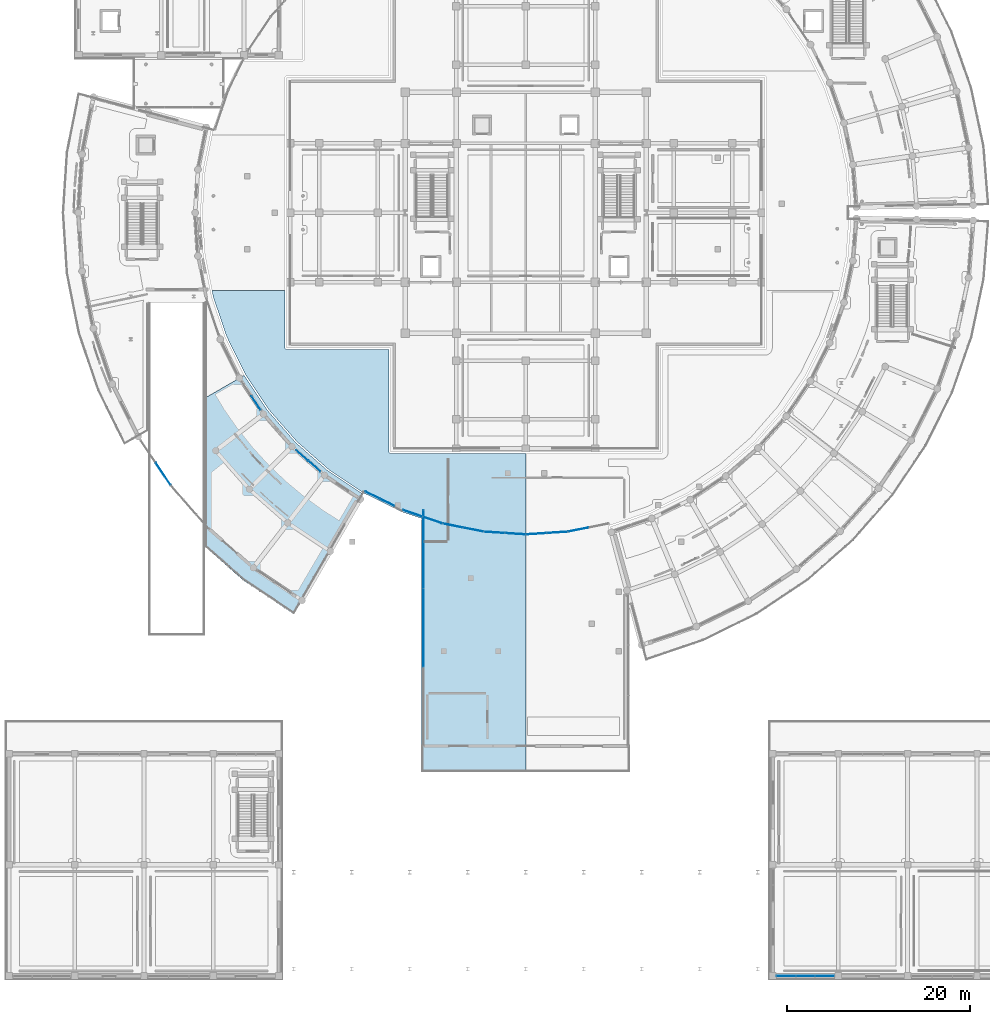
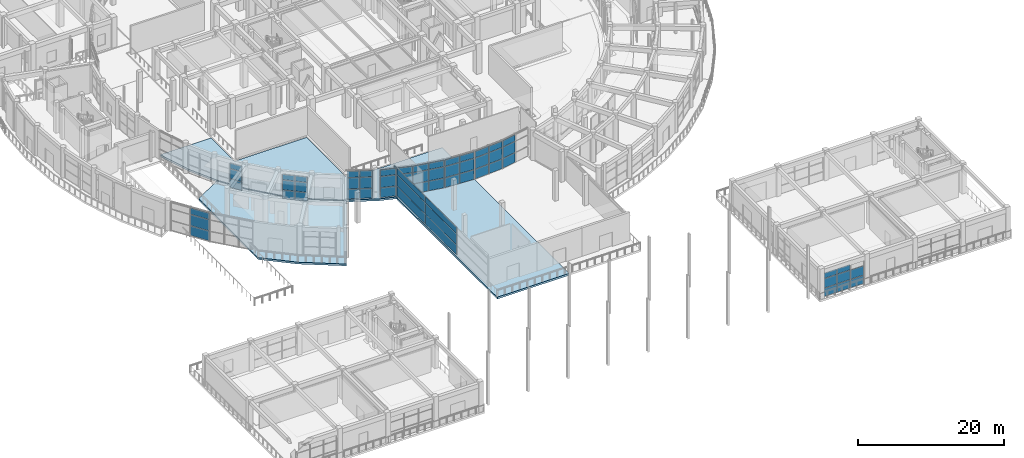
# One storey, part 55 of 99: 59 plates, 2 slabs, 11 elements without a shape of their own.
"""IFC4 building model written with IfcOpenShell, lengths in metres."""

from ifc_helpers import new_model, si_unit, direction, frame, origin, origin_2d, place, context, subcontext, project, spatial, polyline, rectangle, outline, extrude, material, layer, layer_set, type_object, element, aggregate, save


model = new_model("IFC4")

# Units and contexts
model_context = context("Model", 3, precision=1e-05, world=origin(), true_north=direction((0.0, 1.0)))
body_context = subcontext(model_context, "Body", "Model", "MODEL_VIEW")
ifc_project = project(units=[si_unit("LENGTHUNIT", "METRE"), si_unit("AREAUNIT", "SQUARE_METRE"), si_unit("VOLUMEUNIT", "CUBIC_METRE"), si_unit("PLANEANGLEUNIT", "RADIAN"), si_unit("MASSUNIT", "GRAM", prefix="KILO")], contexts=[model_context])

# Site, building, storey
site_placement = place(None, origin())
site = spatial("IfcSite", under=ifc_project, at=site_placement, CompositionType="ELEMENT")
building_placement = place(site_placement, origin())
building = spatial("IfcBuilding", under=site, at=building_placement, Name="Saryqyr Civic Hall", CompositionType="ELEMENT")
storey_placement = place(building_placement, origin())
storey = spatial("IfcBuildingStorey", under=building, at=storey_placement, Name="L00", CompositionType="ELEMENT", Elevation=0.0)

# Curtain wall, plates
ifc_material_1 = material(Name="Anodised aluminium and triple low-E glass", Category="aluminium")
curtain_wall_type_1 = type_object("IfcCurtainWallType", Name="ENV-CW-STD-08", PredefinedType="NOTDEFINED", material=ifc_material_1)
curtain_wall_1_placement = place(storey_placement, origin())
curtain_wall_1 = element("IfcCurtainWall", 1, at=curtain_wall_1_placement, inside=storey, type_object=curtain_wall_type_1, Name="Curtain wall V4-CWO-L00-06", PredefinedType="NOTDEFINED")
ifc_material_2 = material(Name="Triple low-E insulated glazing", Category="glass")
ifc_layer_1 = layer(ifc_material_2, 0.053955078125, Name="Triple low-E insulated glazing")
ifc_layer_set_1 = layer_set([ifc_layer_1], Name="Triple low-E insulated glazing")
plate_type = type_object("IfcPlateType", Name="ENV-CW-PNL-38", PredefinedType="CURTAIN_PANEL", material=ifc_layer_set_1)
plate_1_placement = place(storey_placement, frame((17.29638671875, 55.411865234375, 0.06005859375), z_axis=(0.0, 0.0, 1.0), x_axis=(-0.555566691085, 0.831471978937, 0.0)))
plate_1 = element("IfcPlate", 2, at=plate_1_placement, type_object=plate_type, Name="CW-08 panel 1.1", PredefinedType="CURTAIN_PANEL", context=body_context, shape_type="SweptSolid", body=[
    extrude(rectangle(XDim=2.865234375, YDim=0.053955078125, at=origin_2d()), origin(), (0.0, 0.0, 1.0), 1.6201171875),
])
plate_2_placement = place(storey_placement, frame((17.29638671875, 55.411865234375, 1.73974609375), z_axis=(0.0, 0.0, 1.0), x_axis=(-0.555566691085, 0.831471978937, 0.0)))
plate_2 = element("IfcPlate", 3, at=plate_2_placement, type_object=plate_type, Name="CW-08 panel 1.2", PredefinedType="CURTAIN_PANEL", context=body_context, shape_type="SweptSolid", body=[
    extrude(rectangle(XDim=2.865234375, YDim=0.053955078125, at=origin_2d()), origin(), (0.0, 0.0, 1.0), 1.840087890625),
])
plate_3_placement = place(storey_placement, frame((17.29638671875, 55.411865234375, 3.64013671875), z_axis=(0.0, 0.0, 1.0), x_axis=(-0.555566691085, 0.831471978937, 0.0)))
plate_3 = element("IfcPlate", 4, at=plate_3_placement, type_object=plate_type, Name="CW-08 panel 1.3", PredefinedType="CURTAIN_PANEL", context=body_context, shape_type="SweptSolid", body=[
    extrude(rectangle(XDim=2.865234375, YDim=0.053955078125, at=origin_2d()), origin(), (0.0, 0.0, 1.0), 1.050048828125),
])
aggregate(curtain_wall_1, [plate_1, plate_2, plate_3])

curtain_wall_type_2 = type_object("IfcCurtainWallType", Name="ENV-CW-STD-09", PredefinedType="NOTDEFINED", material=ifc_material_1)
curtain_wall_2_placement = place(storey_placement, origin())
curtain_wall_2 = element("IfcCurtainWall", 5, at=curtain_wall_2_placement, inside=storey, type_object=curtain_wall_type_2, Name="Curtain wall V4-CWI-L00-06", PredefinedType="NOTDEFINED")
plate_4_placement = place(storey_placement, frame((27.475830078125, 63.1669921875, 0.06005859375), z_axis=(0.0, 0.0, 1.0), x_axis=(0.555558270106, -0.831477605541, 0.0)))
plate_4 = element("IfcPlate", 6, at=plate_4_placement, type_object=plate_type, Name="CW-09 panel 2.1", PredefinedType="CURTAIN_PANEL", context=body_context, shape_type="SweptSolid", body=[
    extrude(rectangle(XDim=1.778564453125, YDim=0.053955078125, at=origin_2d()), origin(), (0.0, 0.0, 1.0), 1.419921875),
])
plate_5_placement = place(storey_placement, frame((27.475830078125, 63.1669921875, 1.5400390625), z_axis=(0.0, 0.0, 1.0), x_axis=(0.555558270106, -0.831477605541, 0.0)))
plate_5 = element("IfcPlate", 7, at=plate_5_placement, type_object=plate_type, Name="CW-09 panel 2.2", PredefinedType="CURTAIN_PANEL", context=body_context, shape_type="SweptSolid", body=[
    extrude(rectangle(XDim=1.778564453125, YDim=0.053955078125, at=origin_2d()), origin(), (0.0, 0.0, 1.0), 1.617919921875),
])
plate_6_placement = place(storey_placement, frame((27.475830078125, 63.1669921875, 3.218017578125), z_axis=(0.0, 0.0, 1.0), x_axis=(0.555558270106, -0.831477605541, 0.0)))
plate_6 = element("IfcPlate", 8, at=plate_6_placement, type_object=plate_type, Name="CW-09 panel 2.3", PredefinedType="CURTAIN_PANEL", context=body_context, shape_type="SweptSolid", body=[
    extrude(rectangle(XDim=1.778564453125, YDim=0.053955078125, at=origin_2d()), origin(), (0.0, 0.0, 1.0), 0.9169921875),
])
aggregate(curtain_wall_2, [plate_4, plate_5, plate_6])

curtain_wall_type_3 = type_object("IfcCurtainWallType", Name="ENV-CW-STD-11", PredefinedType="NOTDEFINED", material=ifc_material_1)
curtain_wall_3_placement = place(storey_placement, origin())
curtain_wall_3 = element("IfcCurtainWall", 9, at=curtain_wall_3_placement, inside=storey, type_object=curtain_wall_type_3, Name="Curtain wall V4-CWI-L00-08", PredefinedType="NOTDEFINED")
plate_7_placement = place(storey_placement, frame((32.511474609375, 57.430419921875, 0.06005859375), z_axis=(0.0, 0.0, 1.0), x_axis=(0.751830721195, -0.659356175878, 0.0)))
plate_7 = element("IfcPlate", 10, at=plate_7_placement, type_object=plate_type, Name="CW-11 panel 1.1", PredefinedType="CURTAIN_PANEL", context=body_context, shape_type="SweptSolid", body=[
    extrude(rectangle(XDim=1.7255859375, YDim=0.053955078125, at=origin_2d()), origin(), (0.0, 0.0, 1.0), 1.419921875),
])
plate_8_placement = place(storey_placement, frame((32.511474609375, 57.430419921875, 1.5400390625), z_axis=(0.0, 0.0, 1.0), x_axis=(0.751830721195, -0.659356175878, 0.0)))
plate_8 = element("IfcPlate", 11, at=plate_8_placement, type_object=plate_type, Name="CW-11 panel 1.2", PredefinedType="CURTAIN_PANEL", context=body_context, shape_type="SweptSolid", body=[
    extrude(rectangle(XDim=1.7255859375, YDim=0.053955078125, at=origin_2d()), origin(), (0.0, 0.0, 1.0), 1.617919921875),
])
plate_9_placement = place(storey_placement, frame((32.511474609375, 57.430419921875, 3.218017578125), z_axis=(0.0, 0.0, 1.0), x_axis=(0.751830721195, -0.659356175878, 0.0)))
plate_9 = element("IfcPlate", 12, at=plate_9_placement, type_object=plate_type, Name="CW-11 panel 1.3", PredefinedType="CURTAIN_PANEL", context=body_context, shape_type="SweptSolid", body=[
    extrude(rectangle(XDim=1.7255859375, YDim=0.053955078125, at=origin_2d()), origin(), (0.0, 0.0, 1.0), 0.9169921875),
])
plate_10_placement = place(storey_placement, frame((33.85400390625, 56.2529296875, 0.06005859375), z_axis=(0.0, 0.0, 1.0), x_axis=(0.751830721195, -0.659356175878, 0.0)))
plate_10 = element("IfcPlate", 13, at=plate_10_placement, type_object=plate_type, Name="CW-11 panel 2.1", PredefinedType="CURTAIN_PANEL", context=body_context, shape_type="SweptSolid", body=[
    extrude(rectangle(XDim=1.7255859375, YDim=0.053955078125, at=origin_2d()), origin(), (0.0, 0.0, 1.0), 1.419921875),
])
plate_11_placement = place(storey_placement, frame((33.85400390625, 56.2529296875, 1.5400390625), z_axis=(0.0, 0.0, 1.0), x_axis=(0.751830721195, -0.659356175878, 0.0)))
plate_11 = element("IfcPlate", 14, at=plate_11_placement, type_object=plate_type, Name="CW-11 panel 2.2", PredefinedType="CURTAIN_PANEL", context=body_context, shape_type="SweptSolid", body=[
    extrude(rectangle(XDim=1.7255859375, YDim=0.053955078125, at=origin_2d()), origin(), (0.0, 0.0, 1.0), 1.617919921875),
])
plate_12_placement = place(storey_placement, frame((33.85400390625, 56.2529296875, 3.218017578125), z_axis=(0.0, 0.0, 1.0), x_axis=(0.751830721195, -0.659356175878, 0.0)))
plate_12 = element("IfcPlate", 15, at=plate_12_placement, type_object=plate_type, Name="CW-11 panel 2.3", PredefinedType="CURTAIN_PANEL", context=body_context, shape_type="SweptSolid", body=[
    extrude(rectangle(XDim=1.7255859375, YDim=0.053955078125, at=origin_2d()), origin(), (0.0, 0.0, 1.0), 0.9169921875),
])
aggregate(curtain_wall_3, [plate_7, plate_8, plate_9, plate_10, plate_11, plate_12])

curtain_wall_type_4 = type_object("IfcCurtainWallType", Name="ENV-CW-STD-60", PredefinedType="NOTDEFINED", material=ifc_material_1)
curtain_wall_4_placement = place(storey_placement, origin())
curtain_wall_4 = element("IfcCurtainWall", 16, at=curtain_wall_4_placement, inside=storey, type_object=curtain_wall_type_4, Name="Curtain wall V7E-CW-L00-0-3", PredefinedType="NOTDEFINED")
plate_13_placement = place(storey_placement, frame((89.7333984375, 0.449951171875, 0.06005859375), z_axis=(0.0, 0.0, 1.0), x_axis=(-1.0, 0.0, 0.0)))
plate_13 = element("IfcPlate", 17, at=plate_13_placement, type_object=plate_type, Name="CW-60 panel 1.1", PredefinedType="CURTAIN_PANEL", context=body_context, shape_type="SweptSolid", body=[
    extrude(rectangle(XDim=2.033447265625, YDim=0.053955078125, at=origin_2d()), origin(), (0.0, 0.0, 1.0), 1.365966796875),
])
plate_14_placement = place(storey_placement, frame((89.7333984375, 0.449951171875, 1.48583984375), z_axis=(0.0, 0.0, 1.0), x_axis=(-1.0, 0.0, 0.0)))
plate_14 = element("IfcPlate", 18, at=plate_14_placement, type_object=plate_type, Name="CW-60 panel 1.2", PredefinedType="CURTAIN_PANEL", context=body_context, shape_type="SweptSolid", body=[
    extrude(rectangle(XDim=2.033447265625, YDim=0.053955078125, at=origin_2d()), origin(), (0.0, 0.0, 1.0), 1.55810546875),
])
plate_15_placement = place(storey_placement, frame((87.625, 0.449951171875, 0.06005859375), z_axis=(0.0, 0.0, 1.0), x_axis=(-1.0, 0.0, 0.0)))
plate_15 = element("IfcPlate", 19, at=plate_15_placement, type_object=plate_type, Name="CW-60 panel 2.1", PredefinedType="CURTAIN_PANEL", context=body_context, shape_type="SweptSolid", body=[
    extrude(rectangle(XDim=2.063232421875, YDim=0.053955078125, at=origin_2d()), origin(), (0.0, 0.0, 1.0), 1.365966796875),
])
plate_16_placement = place(storey_placement, frame((87.625, 0.449951171875, 1.48583984375), z_axis=(0.0, 0.0, 1.0), x_axis=(-1.0, 0.0, 0.0)))
plate_16 = element("IfcPlate", 20, at=plate_16_placement, type_object=plate_type, Name="CW-60 panel 2.2", PredefinedType="CURTAIN_PANEL", context=body_context, shape_type="SweptSolid", body=[
    extrude(rectangle(XDim=2.063232421875, YDim=0.053955078125, at=origin_2d()), origin(), (0.0, 0.0, 1.0), 1.55810546875),
])
plate_17_placement = place(storey_placement, frame((87.625, 0.449951171875, 3.10400390625), z_axis=(0.0, 0.0, 1.0), x_axis=(-1.0, 0.0, 0.0)))
plate_17 = element("IfcPlate", 21, at=plate_17_placement, type_object=plate_type, Name="CW-60 panel 2.3", PredefinedType="CURTAIN_PANEL", context=body_context, shape_type="SweptSolid", body=[
    extrude(rectangle(XDim=2.063232421875, YDim=0.053955078125, at=origin_2d()), origin(), (0.0, 0.0, 1.0), 0.881103515625),
])
plate_18_placement = place(storey_placement, frame((85.5166015625, 0.449951171875, 0.06005859375), z_axis=(0.0, 0.0, 1.0), x_axis=(-1.0, 0.0, 0.0)))
plate_18 = element("IfcPlate", 22, at=plate_18_placement, type_object=plate_type, Name="CW-60 panel 3.1", PredefinedType="CURTAIN_PANEL", context=body_context, shape_type="SweptSolid", body=[
    extrude(rectangle(XDim=2.033447265625, YDim=0.053955078125, at=origin_2d()), origin(), (0.0, 0.0, 1.0), 1.365966796875),
])
plate_19_placement = place(storey_placement, frame((85.5166015625, 0.449951171875, 1.48583984375), z_axis=(0.0, 0.0, 1.0), x_axis=(-1.0, 0.0, 0.0)))
plate_19 = element("IfcPlate", 23, at=plate_19_placement, type_object=plate_type, Name="CW-60 panel 3.2", PredefinedType="CURTAIN_PANEL", context=body_context, shape_type="SweptSolid", body=[
    extrude(rectangle(XDim=2.033447265625, YDim=0.053955078125, at=origin_2d()), origin(), (0.0, 0.0, 1.0), 1.55810546875),
])
plate_20_placement = place(storey_placement, frame((85.5166015625, 0.449951171875, 3.10400390625), z_axis=(0.0, 0.0, 1.0), x_axis=(-1.0, 0.0, 0.0)))
plate_20 = element("IfcPlate", 24, at=plate_20_placement, type_object=plate_type, Name="CW-60 panel 3.3", PredefinedType="CURTAIN_PANEL", context=body_context, shape_type="SweptSolid", body=[
    extrude(rectangle(XDim=2.033447265625, YDim=0.053955078125, at=origin_2d()), origin(), (0.0, 0.0, 1.0), 0.881103515625),
])
aggregate(curtain_wall_4, [plate_13, plate_14, plate_15, plate_16, plate_17, plate_18, plate_19, plate_20])

curtain_wall_type_5 = type_object("IfcCurtainWallType", Name="ENV-CW-STD-63", PredefinedType="NOTDEFINED", material=ifc_material_1)
curtain_wall_5_placement = place(storey_placement, origin())
curtain_wall_5 = element("IfcCurtainWall", 25, at=curtain_wall_5_placement, inside=storey, type_object=curtain_wall_type_5, Name="Curtain wall V2-VESTFLK-SW-L00", PredefinedType="NOTDEFINED")
plate_21_placement = place(storey_placement, frame((45.800048828125, 38.554931640625, 0.06005859375), z_axis=(0.0, 0.0, 1.0), x_axis=(0.0, 1.0, 0.0)))
plate_21 = element("IfcPlate", 26, at=plate_21_placement, type_object=plate_type, Name="CW-63 panel 2.1", PredefinedType="CURTAIN_PANEL", context=body_context, shape_type="SweptSolid", body=[
    extrude(rectangle(XDim=8.570068359375, YDim=0.053955078125, at=origin_2d()), origin(), (0.0, 0.0, 1.0), 1.6201171875),
])
plate_22_placement = place(storey_placement, frame((45.800048828125, 38.554931640625, 1.73974609375), z_axis=(0.0, 0.0, 1.0), x_axis=(0.0, 1.0, 0.0)))
plate_22 = element("IfcPlate", 27, at=plate_22_placement, type_object=plate_type, Name="CW-63 panel 2.2", PredefinedType="CURTAIN_PANEL", context=body_context, shape_type="SweptSolid", body=[
    extrude(rectangle(XDim=8.570068359375, YDim=0.053955078125, at=origin_2d()), origin(), (0.0, 0.0, 1.0), 1.840087890625),
])
plate_23_placement = place(storey_placement, frame((45.800048828125, 38.554931640625, 3.64013671875), z_axis=(0.0, 0.0, 1.0), x_axis=(0.0, 1.0, 0.0)))
plate_23 = element("IfcPlate", 28, at=plate_23_placement, type_object=plate_type, Name="CW-63 panel 2.3", PredefinedType="CURTAIN_PANEL", context=body_context, shape_type="SweptSolid", body=[
    extrude(rectangle(XDim=8.570068359375, YDim=0.053955078125, at=origin_2d()), origin(), (0.0, 0.0, 1.0), 1.050048828125),
])
plate_24_placement = place(storey_placement, frame((45.800048828125, 47.169921875, 0.06005859375), z_axis=(0.0, 0.0, 1.0), x_axis=(0.0, 1.0, 0.0)))
plate_24 = element("IfcPlate", 29, at=plate_24_placement, type_object=plate_type, Name="CW-63 panel 3.1", PredefinedType="CURTAIN_PANEL", context=body_context, shape_type="SweptSolid", body=[
    extrude(rectangle(XDim=8.5400390625, YDim=0.053955078125, at=origin_2d()), origin(), (0.0, 0.0, 1.0), 1.6201171875),
])
plate_25_placement = place(storey_placement, frame((45.800048828125, 47.169921875, 1.73974609375), z_axis=(0.0, 0.0, 1.0), x_axis=(0.0, 1.0, 0.0)))
plate_25 = element("IfcPlate", 30, at=plate_25_placement, type_object=plate_type, Name="CW-63 panel 3.2", PredefinedType="CURTAIN_PANEL", context=body_context, shape_type="SweptSolid", body=[
    extrude(rectangle(XDim=8.5400390625, YDim=0.053955078125, at=origin_2d()), origin(), (0.0, 0.0, 1.0), 1.840087890625),
])
plate_26_placement = place(storey_placement, frame((45.800048828125, 47.169921875, 3.64013671875), z_axis=(0.0, 0.0, 1.0), x_axis=(0.0, 1.0, 0.0)))
plate_26 = element("IfcPlate", 31, at=plate_26_placement, type_object=plate_type, Name="CW-63 panel 3.3", PredefinedType="CURTAIN_PANEL", context=body_context, shape_type="SweptSolid", body=[
    extrude(rectangle(XDim=8.5400390625, YDim=0.053955078125, at=origin_2d()), origin(), (0.0, 0.0, 1.0), 1.050048828125),
])
aggregate(curtain_wall_5, [plate_21, plate_22, plate_23, plate_24, plate_25, plate_26])

curtain_wall_type_6 = type_object("IfcCurtainWallType", Name="ENV-CW-STD-68", PredefinedType="NOTDEFINED", material=ifc_material_1)
curtain_wall_6_placement = place(storey_placement, origin())
curtain_wall_6 = element("IfcCurtainWall", 32, at=curtain_wall_6_placement, inside=storey, type_object=curtain_wall_type_6, Name="Curtain wall V2-PERIM-CW-L00-32", PredefinedType="NOTDEFINED")
plate_27_placement = place(storey_placement, frame((41.8291015625, 52.2958984375, 0.06005859375), z_axis=(0.0, 0.0, 1.0), x_axis=(-0.896871168654, 0.442291879687, 0.0)))
plate_27 = element("IfcPlate", 33, at=plate_27_placement, type_object=plate_type, Name="CW-68 panel 1.1", PredefinedType="CURTAIN_PANEL", context=body_context, shape_type="SweptSolid", body=[
    extrude(rectangle(XDim=1.73291015625, YDim=0.053955078125, at=origin_2d()), origin(), (0.0, 0.0, 1.0), 1.6201171875),
])
plate_28_placement = place(storey_placement, frame((41.8291015625, 52.2958984375, 1.73974609375), z_axis=(0.0, 0.0, 1.0), x_axis=(-0.896871168654, 0.442291879687, 0.0)))
plate_28 = element("IfcPlate", 34, at=plate_28_placement, type_object=plate_type, Name="CW-68 panel 1.2", PredefinedType="CURTAIN_PANEL", context=body_context, shape_type="SweptSolid", body=[
    extrude(rectangle(XDim=1.73291015625, YDim=0.053955078125, at=origin_2d()), origin(), (0.0, 0.0, 1.0), 1.840087890625),
])
plate_29_placement = place(storey_placement, frame((41.8291015625, 52.2958984375, 3.64013671875), z_axis=(0.0, 0.0, 1.0), x_axis=(-0.896871168654, 0.442291879687, 0.0)))
plate_29 = element("IfcPlate", 35, at=plate_29_placement, type_object=plate_type, Name="CW-68 panel 1.3", PredefinedType="CURTAIN_PANEL", context=body_context, shape_type="SweptSolid", body=[
    extrude(rectangle(XDim=1.73291015625, YDim=0.053955078125, at=origin_2d()), origin(), (0.0, 0.0, 1.0), 1.050048828125),
])
plate_30_placement = place(storey_placement, frame((40.220947265625, 53.0888671875, 0.06005859375), z_axis=(0.0, 0.0, 1.0), x_axis=(-0.896871168654, 0.442291879687, 0.0)))
plate_30 = element("IfcPlate", 36, at=plate_30_placement, type_object=plate_type, Name="CW-68 panel 2.1", PredefinedType="CURTAIN_PANEL", context=body_context, shape_type="SweptSolid", body=[
    extrude(rectangle(XDim=1.73291015625, YDim=0.053955078125, at=origin_2d()), origin(), (0.0, 0.0, 1.0), 1.6201171875),
])
plate_31_placement = place(storey_placement, frame((40.220947265625, 53.0888671875, 1.73974609375), z_axis=(0.0, 0.0, 1.0), x_axis=(-0.896871168654, 0.442291879687, 0.0)))
plate_31 = element("IfcPlate", 37, at=plate_31_placement, type_object=plate_type, Name="CW-68 panel 2.2", PredefinedType="CURTAIN_PANEL", context=body_context, shape_type="SweptSolid", body=[
    extrude(rectangle(XDim=1.73291015625, YDim=0.053955078125, at=origin_2d()), origin(), (0.0, 0.0, 1.0), 1.840087890625),
])
plate_32_placement = place(storey_placement, frame((40.220947265625, 53.0888671875, 3.64013671875), z_axis=(0.0, 0.0, 1.0), x_axis=(-0.896871168654, 0.442291879687, 0.0)))
plate_32 = element("IfcPlate", 38, at=plate_32_placement, type_object=plate_type, Name="CW-68 panel 2.3", PredefinedType="CURTAIN_PANEL", context=body_context, shape_type="SweptSolid", body=[
    extrude(rectangle(XDim=1.73291015625, YDim=0.053955078125, at=origin_2d()), origin(), (0.0, 0.0, 1.0), 1.050048828125),
])
aggregate(curtain_wall_6, [plate_27, plate_28, plate_29, plate_30, plate_31, plate_32])

curtain_wall_type_7 = type_object("IfcCurtainWallType", Name="ENV-CW-STD-67", PredefinedType="NOTDEFINED", material=ifc_material_1)
curtain_wall_7_placement = place(storey_placement, origin())
curtain_wall_7 = element("IfcCurtainWall", 39, at=curtain_wall_7_placement, inside=storey, type_object=curtain_wall_type_7, Name="Curtain wall V2-PERIM-CW-L00-33", PredefinedType="NOTDEFINED")
plate_33_placement = place(storey_placement, frame((46.779541015625, 50.355224609375, 0.06005859375), z_axis=(0.0, 0.0, 1.0), x_axis=(-0.946928094828, 0.321445459178, 0.0)))
plate_33 = element("IfcPlate", 40, at=plate_33_placement, type_object=plate_type, Name="CW-67 panel 1.1", PredefinedType="CURTAIN_PANEL", context=body_context, shape_type="SweptSolid", body=[
    extrude(rectangle(XDim=2.213623046875, YDim=0.053955078125, at=origin_2d()), origin(), (0.0, 0.0, 1.0), 1.6201171875),
])
plate_34_placement = place(storey_placement, frame((46.779541015625, 50.355224609375, 1.73974609375), z_axis=(0.0, 0.0, 1.0), x_axis=(-0.946928094828, 0.321445459178, 0.0)))
plate_34 = element("IfcPlate", 41, at=plate_34_placement, type_object=plate_type, Name="CW-67 panel 1.2", PredefinedType="CURTAIN_PANEL", context=body_context, shape_type="SweptSolid", body=[
    extrude(rectangle(XDim=2.213623046875, YDim=0.053955078125, at=origin_2d()), origin(), (0.0, 0.0, 1.0), 1.840087890625),
])
plate_35_placement = place(storey_placement, frame((46.779541015625, 50.355224609375, 3.64013671875), z_axis=(0.0, 0.0, 1.0), x_axis=(-0.946928094828, 0.321445459178, 0.0)))
plate_35 = element("IfcPlate", 42, at=plate_35_placement, type_object=plate_type, Name="CW-67 panel 1.3", PredefinedType="CURTAIN_PANEL", context=body_context, shape_type="SweptSolid", body=[
    extrude(rectangle(XDim=2.213623046875, YDim=0.053955078125, at=origin_2d()), origin(), (0.0, 0.0, 1.0), 1.050048828125),
])
plate_36_placement = place(storey_placement, frame((44.626708984375, 51.0859375, 0.06005859375), z_axis=(0.0, 0.0, 1.0), x_axis=(-0.946928094828, 0.321445459178, 0.0)))
plate_36 = element("IfcPlate", 43, at=plate_36_placement, type_object=plate_type, Name="CW-67 panel 2.1", PredefinedType="CURTAIN_PANEL", context=body_context, shape_type="SweptSolid", body=[
    extrude(rectangle(XDim=2.213623046875, YDim=0.053955078125, at=origin_2d()), origin(), (0.0, 0.0, 1.0), 1.6201171875),
])
plate_37_placement = place(storey_placement, frame((44.626708984375, 51.0859375, 1.73974609375), z_axis=(0.0, 0.0, 1.0), x_axis=(-0.946928094828, 0.321445459178, 0.0)))
plate_37 = element("IfcPlate", 44, at=plate_37_placement, type_object=plate_type, Name="CW-67 panel 2.2", PredefinedType="CURTAIN_PANEL", context=body_context, shape_type="SweptSolid", body=[
    extrude(rectangle(XDim=2.213623046875, YDim=0.053955078125, at=origin_2d()), origin(), (0.0, 0.0, 1.0), 1.840087890625),
])
plate_38_placement = place(storey_placement, frame((44.626708984375, 51.0859375, 3.64013671875), z_axis=(0.0, 0.0, 1.0), x_axis=(-0.946928094828, 0.321445459178, 0.0)))
plate_38 = element("IfcPlate", 45, at=plate_38_placement, type_object=plate_type, Name="CW-67 panel 2.3", PredefinedType="CURTAIN_PANEL", context=body_context, shape_type="SweptSolid", body=[
    extrude(rectangle(XDim=2.213623046875, YDim=0.053955078125, at=origin_2d()), origin(), (0.0, 0.0, 1.0), 1.050048828125),
])
aggregate(curtain_wall_7, [plate_33, plate_34, plate_35, plate_36, plate_37, plate_38])

curtain_wall_8_placement = place(storey_placement, origin())
curtain_wall_8 = element("IfcCurtainWall", 46, at=curtain_wall_8_placement, inside=storey, type_object=curtain_wall_type_7, Name="Curtain wall V2-PERIM-CW-L00-34", PredefinedType="NOTDEFINED")
plate_39_placement = place(storey_placement, frame((51.258544921875, 49.308837890625, 0.06005859375), z_axis=(0.0, 0.0, 1.0), x_axis=(-0.980784679507, 0.195093342902, 0.0)))
plate_39 = element("IfcPlate", 47, at=plate_39_placement, type_object=plate_type, Name="CW-67 panel 1.1", PredefinedType="CURTAIN_PANEL", context=body_context, shape_type="SweptSolid", body=[
    extrude(rectangle(XDim=2.213623046875, YDim=0.053955078125, at=origin_2d()), origin(), (0.0, 0.0, 1.0), 1.6201171875),
])
plate_40_placement = place(storey_placement, frame((51.258544921875, 49.308837890625, 1.73974609375), z_axis=(0.0, 0.0, 1.0), x_axis=(-0.980784679507, 0.195093342902, 0.0)))
plate_40 = element("IfcPlate", 48, at=plate_40_placement, type_object=plate_type, Name="CW-67 panel 1.2", PredefinedType="CURTAIN_PANEL", context=body_context, shape_type="SweptSolid", body=[
    extrude(rectangle(XDim=2.213623046875, YDim=0.053955078125, at=origin_2d()), origin(), (0.0, 0.0, 1.0), 1.840087890625),
])
plate_41_placement = place(storey_placement, frame((51.258544921875, 49.308837890625, 3.64013671875), z_axis=(0.0, 0.0, 1.0), x_axis=(-0.980784679507, 0.195093342902, 0.0)))
plate_41 = element("IfcPlate", 49, at=plate_41_placement, type_object=plate_type, Name="CW-67 panel 1.3", PredefinedType="CURTAIN_PANEL", context=body_context, shape_type="SweptSolid", body=[
    extrude(rectangle(XDim=2.213623046875, YDim=0.053955078125, at=origin_2d()), origin(), (0.0, 0.0, 1.0), 1.050048828125),
])
plate_42_placement = place(storey_placement, frame((49.02880859375, 49.75244140625, 0.06005859375), z_axis=(0.0, 0.0, 1.0), x_axis=(-0.980784679507, 0.195093342902, 0.0)))
plate_42 = element("IfcPlate", 50, at=plate_42_placement, type_object=plate_type, Name="CW-67 panel 2.1", PredefinedType="CURTAIN_PANEL", context=body_context, shape_type="SweptSolid", body=[
    extrude(rectangle(XDim=2.213623046875, YDim=0.053955078125, at=origin_2d()), origin(), (0.0, 0.0, 1.0), 1.6201171875),
])
plate_43_placement = place(storey_placement, frame((49.02880859375, 49.75244140625, 1.73974609375), z_axis=(0.0, 0.0, 1.0), x_axis=(-0.980784679507, 0.195093342902, 0.0)))
plate_43 = element("IfcPlate", 51, at=plate_43_placement, type_object=plate_type, Name="CW-67 panel 2.2", PredefinedType="CURTAIN_PANEL", context=body_context, shape_type="SweptSolid", body=[
    extrude(rectangle(XDim=2.213623046875, YDim=0.053955078125, at=origin_2d()), origin(), (0.0, 0.0, 1.0), 1.840087890625),
])
plate_44_placement = place(storey_placement, frame((49.02880859375, 49.75244140625, 3.64013671875), z_axis=(0.0, 0.0, 1.0), x_axis=(-0.980784679507, 0.195093342902, 0.0)))
plate_44 = element("IfcPlate", 52, at=plate_44_placement, type_object=plate_type, Name="CW-67 panel 2.3", PredefinedType="CURTAIN_PANEL", context=body_context, shape_type="SweptSolid", body=[
    extrude(rectangle(XDim=2.213623046875, YDim=0.053955078125, at=origin_2d()), origin(), (0.0, 0.0, 1.0), 1.050048828125),
])
aggregate(curtain_wall_8, [plate_39, plate_40, plate_41, plate_42, plate_43, plate_44])

curtain_wall_9_placement = place(storey_placement, origin())
curtain_wall_9 = element("IfcCurtainWall", 53, at=curtain_wall_9_placement, inside=storey, type_object=curtain_wall_type_7, Name="Curtain wall V2-PERIM-CW-L00-35", PredefinedType="NOTDEFINED")
plate_45_placement = place(storey_placement, frame((55.835693359375, 48.856201171875, 0.06005859375), z_axis=(0.0, 0.0, 1.0), x_axis=(-0.997859062814, 0.065400999681, 0.0)))
plate_45 = element("IfcPlate", 54, at=plate_45_placement, type_object=plate_type, Name="CW-67 panel 1.1", PredefinedType="CURTAIN_PANEL", context=body_context, shape_type="SweptSolid", body=[
    extrude(rectangle(XDim=2.21337890625, YDim=0.053955078125, at=origin_2d()), origin(), (0.0, 0.0, 1.0), 1.6201171875),
])
plate_46_placement = place(storey_placement, frame((55.835693359375, 48.856201171875, 1.73974609375), z_axis=(0.0, 0.0, 1.0), x_axis=(-0.997859062814, 0.065400999681, 0.0)))
plate_46 = element("IfcPlate", 55, at=plate_46_placement, type_object=plate_type, Name="CW-67 panel 1.2", PredefinedType="CURTAIN_PANEL", context=body_context, shape_type="SweptSolid", body=[
    extrude(rectangle(XDim=2.21337890625, YDim=0.053955078125, at=origin_2d()), origin(), (0.0, 0.0, 1.0), 1.840087890625),
])
plate_47_placement = place(storey_placement, frame((55.835693359375, 48.856201171875, 3.64013671875), z_axis=(0.0, 0.0, 1.0), x_axis=(-0.997859062814, 0.065400999681, 0.0)))
plate_47 = element("IfcPlate", 56, at=plate_47_placement, type_object=plate_type, Name="CW-67 panel 1.3", PredefinedType="CURTAIN_PANEL", context=body_context, shape_type="SweptSolid", body=[
    extrude(rectangle(XDim=2.21337890625, YDim=0.053955078125, at=origin_2d()), origin(), (0.0, 0.0, 1.0), 1.050048828125),
])
plate_48_placement = place(storey_placement, frame((53.567138671875, 49.0048828125, 0.06005859375), z_axis=(0.0, 0.0, 1.0), x_axis=(-0.997859062814, 0.065400999681, 0.0)))
plate_48 = element("IfcPlate", 57, at=plate_48_placement, type_object=plate_type, Name="CW-67 panel 2.1", PredefinedType="CURTAIN_PANEL", context=body_context, shape_type="SweptSolid", body=[
    extrude(rectangle(XDim=2.21337890625, YDim=0.053955078125, at=origin_2d()), origin(), (0.0, 0.0, 1.0), 1.6201171875),
])
plate_49_placement = place(storey_placement, frame((53.567138671875, 49.0048828125, 1.73974609375), z_axis=(0.0, 0.0, 1.0), x_axis=(-0.997859062814, 0.065400999681, 0.0)))
plate_49 = element("IfcPlate", 58, at=plate_49_placement, type_object=plate_type, Name="CW-67 panel 2.2", PredefinedType="CURTAIN_PANEL", context=body_context, shape_type="SweptSolid", body=[
    extrude(rectangle(XDim=2.21337890625, YDim=0.053955078125, at=origin_2d()), origin(), (0.0, 0.0, 1.0), 1.840087890625),
])
plate_50_placement = place(storey_placement, frame((53.567138671875, 49.0048828125, 3.64013671875), z_axis=(0.0, 0.0, 1.0), x_axis=(-0.997859062814, 0.065400999681, 0.0)))
plate_50 = element("IfcPlate", 59, at=plate_50_placement, type_object=plate_type, Name="CW-67 panel 2.3", PredefinedType="CURTAIN_PANEL", context=body_context, shape_type="SweptSolid", body=[
    extrude(rectangle(XDim=2.21337890625, YDim=0.053955078125, at=origin_2d()), origin(), (0.0, 0.0, 1.0), 1.050048828125),
])
aggregate(curtain_wall_9, [plate_45, plate_46, plate_47, plate_48, plate_49, plate_50])

curtain_wall_10_placement = place(storey_placement, origin())
curtain_wall_10 = element("IfcCurtainWall", 60, at=curtain_wall_10_placement, inside=storey, type_object=curtain_wall_type_7, Name="Curtain wall V2-PERIM-CW-L00-36", PredefinedType="NOTDEFINED")
plate_51_placement = place(storey_placement, frame((60.432861328125, 49.0048828125, 0.06005859375), z_axis=(0.0, 0.0, 1.0), x_axis=(-0.997859062814, -0.065400999681, 0.0)))
plate_51 = element("IfcPlate", 61, at=plate_51_placement, type_object=plate_type, Name="CW-67 panel 1.1", PredefinedType="CURTAIN_PANEL", context=body_context, shape_type="SweptSolid", body=[
    extrude(rectangle(XDim=2.21337890625, YDim=0.053955078125, at=origin_2d()), origin(), (0.0, 0.0, 1.0), 1.6201171875),
])
plate_52_placement = place(storey_placement, frame((60.432861328125, 49.0048828125, 1.73974609375), z_axis=(0.0, 0.0, 1.0), x_axis=(-0.997859062814, -0.065400999681, 0.0)))
plate_52 = element("IfcPlate", 62, at=plate_52_placement, type_object=plate_type, Name="CW-67 panel 1.2", PredefinedType="CURTAIN_PANEL", context=body_context, shape_type="SweptSolid", body=[
    extrude(rectangle(XDim=2.21337890625, YDim=0.053955078125, at=origin_2d()), origin(), (0.0, 0.0, 1.0), 1.840087890625),
])
plate_53_placement = place(storey_placement, frame((60.432861328125, 49.0048828125, 3.64013671875), z_axis=(0.0, 0.0, 1.0), x_axis=(-0.997859062814, -0.065400999681, 0.0)))
plate_53 = element("IfcPlate", 63, at=plate_53_placement, type_object=plate_type, Name="CW-67 panel 1.3", PredefinedType="CURTAIN_PANEL", context=body_context, shape_type="SweptSolid", body=[
    extrude(rectangle(XDim=2.21337890625, YDim=0.053955078125, at=origin_2d()), origin(), (0.0, 0.0, 1.0), 1.050048828125),
])
plate_54_placement = place(storey_placement, frame((58.164306640625, 48.856201171875, 0.06005859375), z_axis=(0.0, 0.0, 1.0), x_axis=(-0.997859062814, -0.065400999681, 0.0)))
plate_54 = element("IfcPlate", 64, at=plate_54_placement, type_object=plate_type, Name="CW-67 panel 2.1", PredefinedType="CURTAIN_PANEL", context=body_context, shape_type="SweptSolid", body=[
    extrude(rectangle(XDim=2.21337890625, YDim=0.053955078125, at=origin_2d()), origin(), (0.0, 0.0, 1.0), 1.6201171875),
])
plate_55_placement = place(storey_placement, frame((58.164306640625, 48.856201171875, 1.73974609375), z_axis=(0.0, 0.0, 1.0), x_axis=(-0.997859062814, -0.065400999681, 0.0)))
plate_55 = element("IfcPlate", 65, at=plate_55_placement, type_object=plate_type, Name="CW-67 panel 2.2", PredefinedType="CURTAIN_PANEL", context=body_context, shape_type="SweptSolid", body=[
    extrude(rectangle(XDim=2.21337890625, YDim=0.053955078125, at=origin_2d()), origin(), (0.0, 0.0, 1.0), 1.840087890625),
])
plate_56_placement = place(storey_placement, frame((58.164306640625, 48.856201171875, 3.64013671875), z_axis=(0.0, 0.0, 1.0), x_axis=(-0.997859062814, -0.065400999681, 0.0)))
plate_56 = element("IfcPlate", 66, at=plate_56_placement, type_object=plate_type, Name="CW-67 panel 2.3", PredefinedType="CURTAIN_PANEL", context=body_context, shape_type="SweptSolid", body=[
    extrude(rectangle(XDim=2.21337890625, YDim=0.053955078125, at=origin_2d()), origin(), (0.0, 0.0, 1.0), 1.050048828125),
])
aggregate(curtain_wall_10, [plate_51, plate_52, plate_53, plate_54, plate_55, plate_56])

curtain_wall_11_placement = place(storey_placement, origin())
curtain_wall_11 = element("IfcCurtainWall", 67, at=curtain_wall_11_placement, inside=storey, type_object=curtain_wall_type_7, Name="Curtain wall V2-PERIM-CW-L00-37", PredefinedType="NOTDEFINED")
plate_57_placement = place(storey_placement, frame((62.741455078125, 49.308837890625, 0.06005859375), z_axis=(0.0, 0.0, 1.0), x_axis=(-0.980784679507, -0.195093342902, 0.0)))
plate_57 = element("IfcPlate", 68, at=plate_57_placement, type_object=plate_type, Name="CW-67 panel 2.1", PredefinedType="CURTAIN_PANEL", context=body_context, shape_type="SweptSolid", body=[
    extrude(rectangle(XDim=2.213623046875, YDim=0.053955078125, at=origin_2d()), origin(), (0.0, 0.0, 1.0), 1.6201171875),
])
plate_58_placement = place(storey_placement, frame((62.741455078125, 49.308837890625, 1.73974609375), z_axis=(0.0, 0.0, 1.0), x_axis=(-0.980784679507, -0.195093342902, 0.0)))
plate_58 = element("IfcPlate", 69, at=plate_58_placement, type_object=plate_type, Name="CW-67 panel 2.2", PredefinedType="CURTAIN_PANEL", context=body_context, shape_type="SweptSolid", body=[
    extrude(rectangle(XDim=2.213623046875, YDim=0.053955078125, at=origin_2d()), origin(), (0.0, 0.0, 1.0), 1.840087890625),
])
plate_59_placement = place(storey_placement, frame((62.741455078125, 49.308837890625, 3.64013671875), z_axis=(0.0, 0.0, 1.0), x_axis=(-0.980784679507, -0.195093342902, 0.0)))
plate_59 = element("IfcPlate", 70, at=plate_59_placement, type_object=plate_type, Name="CW-67 panel 2.3", PredefinedType="CURTAIN_PANEL", context=body_context, shape_type="SweptSolid", body=[
    extrude(rectangle(XDim=2.213623046875, YDim=0.053955078125, at=origin_2d()), origin(), (0.0, 0.0, 1.0), 1.050048828125),
])
aggregate(curtain_wall_11, [plate_57, plate_58, plate_59])

# Slabs
ifc_material_3 = material(Name="Concrete C40/50", Category="concrete")
ifc_layer_2 = layer(ifc_material_3, 0.320068359375, Name="Concrete C40/50")
ifc_layer_set_2 = layer_set([ifc_layer_2], Name="Concrete C40/50")
slab_type = type_object("IfcSlabType", Name="STR-SLB-FLR-320", PredefinedType="FLOOR", material=ifc_layer_set_2)
slab_1_placement = place(storey_placement, frame((0.0, 0.0, -0.320068359375)))
element("IfcSlab", 71, at=slab_1_placement, inside=storey, type_object=slab_type, Name="Slab SLB-V4B-L00", PredefinedType="FLOOR", context=body_context, shape_type="SweptSolid", body=[
    extrude(outline(polyline([(28.756591796875, 62.328125), (31.826904296875, 58.826904296875), (35.328125, 55.756591796875), (39.199951171875, 53.16943359375), (31.625, 40.04931640625), (26.10546875, 43.7373046875), (21.89990234375, 47.42529296875), (21.89990234375, 63.735107421875), (26.16943359375, 66.199951171875), (28.756591796875, 62.328125)])), origin(), (0.0, 0.0, 1.0), 0.320068359375),
])
slab_2_placement = place(storey_placement, frame((0.0, 0.0, -0.320068359375)))
element("IfcSlab", 72, at=slab_2_placement, inside=storey, type_object=slab_type, Name="Slab SLB-V2SW-L00", PredefinedType="FLOOR", context=body_context, shape_type="SweptSolid", body=[
    extrude(outline(polyline([(45.60009765625, 50.39990234375), (45.964599609375, 50.39990234375), (43.437744140625, 51.2578125), (39.281982421875, 53.306884765625), (35.42578125, 55.8837890625), (31.9404296875, 58.9404296875), (28.8837890625, 62.42578125), (26.308349609375, 66.2802734375), (24.258056640625, 70.43798828125), (22.767822265625, 74.827392578125), (22.634033203125, 75.5), (30.639892578125, 75.5), (30.639892578125, 69.199951171875), (30.6669921875, 69.111083984375), (30.753662109375, 69.046875), (42.0400390625, 69.0400390625), (42.0400390625, 57.800048828125), (42.058837890625, 57.724609375), (42.12451171875, 57.658935546875), (57.0, 57.639892578125), (57.0, 22.800048828125), (45.60009765625, 22.800048828125), (45.60009765625, 50.39990234375)])), origin(), (0.0, 0.0, 1.0), 0.320068359375),
])

save(model, "model.ifc")
